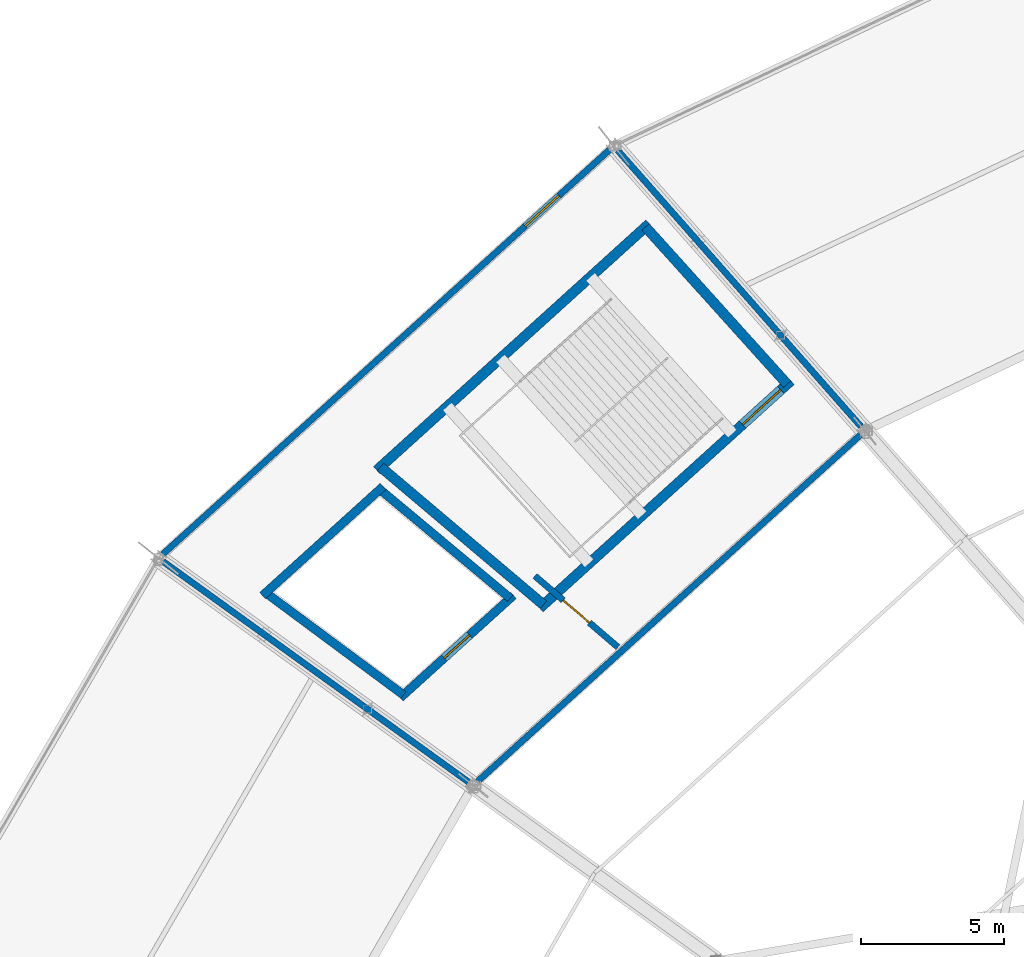
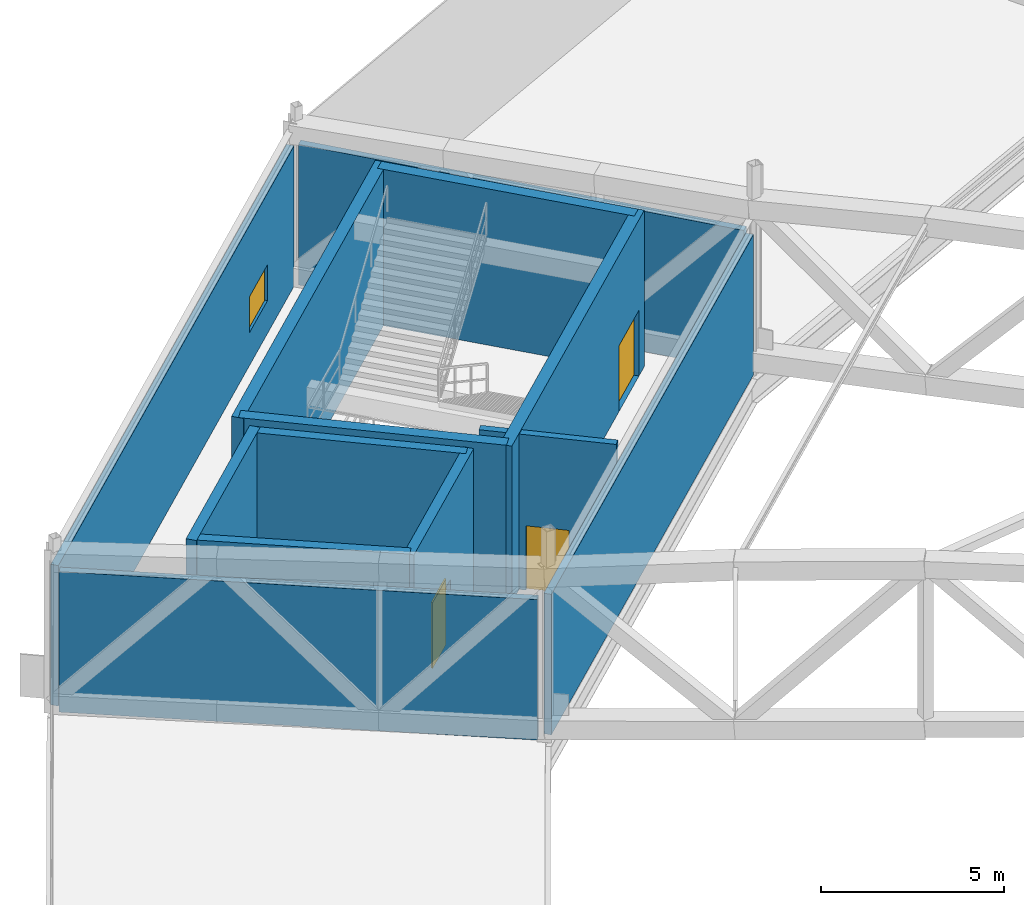
# One storey, part 150 of 162: 13 walls, 3 doors, 1 window, 4 openings.
"""IFC4 building model written with IfcOpenShell, lengths in metres."""

from ifc_helpers import new_model, si_unit, direction, frame, frame_2d, origin, place, context, subcontext, project, spatial, rectangle, extrude, material, layer, layer_set, type_object, element, fill, save


model = new_model("IFC4")

# Units and contexts
model_context = context("Model", 3, precision=1e-05, world=origin(), true_north=direction((0.0, 1.0)))
body_context = subcontext(model_context, "Body", "Model", "MODEL_VIEW")
ifc_project = project(units=[si_unit("LENGTHUNIT", "METRE"), si_unit("AREAUNIT", "SQUARE_METRE"), si_unit("VOLUMEUNIT", "CUBIC_METRE"), si_unit("PLANEANGLEUNIT", "RADIAN"), si_unit("MASSUNIT", "GRAM", prefix="KILO")], contexts=[model_context])

# Site, building, storey
site_placement = place(None, origin())
site = spatial("IfcSite", under=ifc_project, at=site_placement, CompositionType="ELEMENT")
building_placement = place(site_placement, origin())
building = spatial("IfcBuilding", under=site, at=building_placement, Name="Kazemori Nagisa Stadium", CompositionType="ELEMENT")
storey_placement = place(building_placement, frame((0.0, 0.0, 36.719970703125)))
storey = spatial("IfcBuildingStorey", under=building, at=storey_placement, Name="RF", CompositionType="ELEMENT", Elevation=36.719970703125)

# Wall, opening, door
ifc_material_1 = material(Name="Concrete C40/50 (Fc42)", Category="concrete")
ifc_layer_1 = layer(ifc_material_1, 0.35009765625, Name="Concrete C40/50 (Fc42)", Category="concrete")
ifc_layer_set_1 = layer_set([ifc_layer_1], Name="Concrete C40/50 (Fc42)")
wall_type_1 = type_object("IfcWallType", Name="Wall_W-CORE-350", PredefinedType="SHEAR", material=ifc_layer_set_1)
wall_1_placement = place(storey_placement, frame((66.583251953125, 164.860107421875, 0.0), z_axis=(0.0, 0.0, 1.0), x_axis=(-0.741348929385, -0.671119784315, 0.0)))
wall_1 = element("IfcWall", 1, at=wall_1_placement, inside=storey, type_object=wall_type_1, Name="Core stair front shear wall ST02 RF", PredefinedType="SHEAR", context=body_context, shape_type="SweptSolid", body=[
    extrude(rectangle(XDim=11.826416015625, YDim=0.35009765625, at=frame_2d((5.9130859375, 0.0))), origin(), (0.0, 0.0, 1.0), 5.219970703125),
])
opening_1_placement = place(wall_1_placement, frame((0.47509765625, 0.0, 0.0)))
opening_1 = element("IfcOpeningElement", 2, at=opening_1_placement, cuts=wall_1, Name="Opening D-ST-1800", PredefinedType="OPENING", context=body_context, shape_type="SweptSolid", body=[
    extrude(rectangle(XDim=1.800048828125, YDim=2.199951171875, at=frame_2d((0.89990234375, 1.10009765625))), frame((0.0, 0.18505859375, 0.0), z_axis=(0.0, -1.0, 0.0), x_axis=(1.0, 0.0, 0.0)), (0.0, 0.0, 1.0), 0.3701171875),
])
ifc_material_2 = material(Name="Galvanised steel sheet", Category="steel")
door_type_1 = type_object("IfcDoorType", Name="Door_D-ST-1800", OperationType="NOTDEFINED", PredefinedType="DOOR", material=ifc_material_2)
door_1_placement = place(opening_1_placement, frame((1.800048828125, 0.0, 0.0), z_axis=(0.0, 0.0, 1.0), x_axis=(-1.0, 0.0, 0.0)))
door_1 = element("IfcDoor", 3, at=door_1_placement, inside=storey, type_object=door_type_1, Name="Exit stair fire door ST02-RF", OperationType="SINGLE_SWING_RIGHT", OverallHeight=2.199951171875, OverallWidth=1.800048828125, PredefinedType="DOOR", context=body_context, shape_type="SweptSolid", body=[
    extrude(rectangle(XDim=1.800048828125, YDim=2.199951171875, at=frame_2d((0.89990234375, 1.10009765625))), frame((0.0, 0.02490234375, 0.0), z_axis=(0.0, -1.0, 0.0), x_axis=(1.0, 0.0, 0.0)), (0.0, 0.0, 1.0), 0.050048828125),
])
fill(opening_1, door_1)

# Walls
wall_2_placement = place(storey_placement, frame((61.638671875, 170.3466796875, 0.0), z_axis=(0.0, 0.0, 1.0), x_axis=(-0.741351373721, -0.671117084183, 0.0)))
element("IfcWall", 4, at=wall_2_placement, inside=storey, type_object=wall_type_1, Name="Core stair rear shear wall ST02 RF", PredefinedType="SHEAR", context=body_context, shape_type="SweptSolid", body=[
    extrude(rectangle(XDim=12.830322265625, YDim=0.35009765625, at=frame_2d((6.4150390625, 0.0))), origin(), (0.0, 0.0, 1.0), 5.219970703125),
])
wall_3_placement = place(storey_placement, frame((66.45361328125, 164.74267578125, 0.0), z_axis=(0.0, 0.0, 1.0), x_axis=(-0.669463145673, 0.742845270958, 0.0)))
element("IfcWall", 5, at=wall_3_placement, inside=storey, type_object=wall_type_1, Name="Core stair left shear wall ST02 RF", PredefinedType="SHEAR", context=body_context, shape_type="SweptSolid", body=[
    extrude(rectangle(XDim=7.385986328125, YDim=0.35009765625, at=frame_2d((3.69287109375, 0.0))), origin(), (0.0, 0.0, 1.0), 5.219970703125),
])
wall_4_placement = place(storey_placement, frame((57.9453125, 157.04052734375, 0.0), z_axis=(0.0, 0.0, 1.0), x_axis=(-0.763422324031, 0.64589964791, 0.0)))
element("IfcWall", 6, at=wall_4_placement, inside=storey, type_object=wall_type_1, Name="Core stair right shear wall ST02 RF", PredefinedType="SHEAR", context=body_context, shape_type="SweptSolid", body=[
    extrude(rectangle(XDim=7.45166015625, YDim=0.35009765625, at=frame_2d((3.725830078125, 0.0))), origin(), (0.0, 0.0, 1.0), 5.219970703125),
])
ifc_material_3 = material(Name="Steel S355 (SN490B)", Category="steel")
ifc_layer_2 = layer(ifc_material_3, 0.219970703125, Name="Steel S355 (SN490B)", Category="steel")
ifc_layer_set_2 = layer_set([ifc_layer_2], Name="Steel S355 (SN490B)")
wall_type_2 = type_object("IfcWallType", Name="Wall_W-EXT-220", PredefinedType="SOLIDWALL", material=ifc_layer_set_2)
wall_5_placement = place(storey_placement, frame((69.017578125, 162.9765625, 0.0), z_axis=(0.0, 0.0, 1.0), x_axis=(-0.741349812395, -0.671118808902, 0.0)))
element("IfcWall", 7, at=wall_5_placement, inside=storey, type_object=wall_type_2, Name="Corner headhouse exterior wall RF-B11-in", PredefinedType="SOLIDWALL", context=body_context, shape_type="SweptSolid", body=[
    extrude(rectangle(XDim=18.041748046875, YDim=0.219970703125, at=frame_2d((9.02099609375, 0.0))), origin(), (0.0, 0.0, 1.0), 4.68994140625),
])

# Wall, opening, window
wall_6_placement = place(storey_placement, frame((60.253662109375, 172.9248046875, 0.0), z_axis=(0.0, 0.0, 1.0), x_axis=(-0.74134637924, -0.671122601309, 0.0)))
wall_6 = element("IfcWall", 8, at=wall_6_placement, inside=storey, type_object=wall_type_2, Name="Corner headhouse exterior wall RF-B11-out", PredefinedType="SOLIDWALL", context=body_context, shape_type="SweptSolid", body=[
    extrude(rectangle(XDim=21.0439453125, YDim=0.219970703125, at=frame_2d((10.52197265625, 0.0))), origin(), (0.0, 0.0, 1.0), 4.68994140625),
])
opening_2_placement = place(wall_6_placement, frame((2.3798828125, 0.0, 1.10009765625)))
opening_2 = element("IfcOpeningElement", 9, at=opening_2_placement, cuts=wall_6, Name="Opening WIN-RF-1600", PredefinedType="OPENING", context=body_context, shape_type="SweptSolid", body=[
    extrude(rectangle(XDim=1.60009765625, YDim=1.199951171875, at=frame_2d((0.800048828125, 0.60009765625))), frame((0.0, 0.119873046875, 0.0), z_axis=(0.0, -1.0, 0.0), x_axis=(1.0, 0.0, 0.0)), (0.0, 0.0, 1.0), 0.239990234375),
])
ifc_material_4 = material(Name="Low-e laminated double glazing", Category="glass")
window_type = type_object("IfcWindowType", Name="Window_WIN-RF-1600", PartitioningType="SINGLE_PANEL", PredefinedType="WINDOW", material=ifc_material_4)
window_placement = place(opening_2_placement, origin())
window = element("IfcWindow", 10, at=window_placement, inside=storey, type_object=window_type, Name="Headhouse plant clerestory window RF-B11", OverallHeight=1.199951171875, OverallWidth=1.60009765625, PartitioningType="SINGLE_PANEL", PredefinedType="WINDOW", context=body_context, shape_type="SweptSolid", body=[
    extrude(rectangle(XDim=1.60009765625, YDim=1.199951171875, at=frame_2d((0.800048828125, 0.60009765625))), frame((0.0, 0.030029296875, 0.0), z_axis=(0.0, -1.0, 0.0), x_axis=(1.0, 0.0, 0.0)), (0.0, 0.0, 1.0), 0.06005859375),
])
fill(opening_2, window)

# Walls
wall_7_placement = place(storey_placement, frame((69.033447265625, 163.2607421875, 0.0), z_axis=(0.0, 0.0, 1.0), x_axis=(-0.661016034052, 0.750371776339, 0.0)))
element("IfcWall", 11, at=wall_7_placement, inside=storey, type_object=wall_type_2, Name="Corner headhouse exterior wall RF-B11-L", PredefinedType="SOLIDWALL", context=body_context, shape_type="SweptSolid", body=[
    extrude(rectangle(XDim=12.85791015625, YDim=0.219970703125, at=frame_2d((6.428955078125, 0.0))), origin(), (0.0, 0.0, 1.0), 4.68994140625),
])
wall_8_placement = place(storey_placement, frame((55.331787109375, 150.851318359375, 0.0), z_axis=(0.0, 0.0, 1.0), x_axis=(-0.810798631482, 0.585325190972, 0.0)))
element("IfcWall", 12, at=wall_8_placement, inside=storey, type_object=wall_type_2, Name="Corner headhouse exterior wall RF-B11-R", PredefinedType="SOLIDWALL", context=body_context, shape_type="SweptSolid", body=[
    extrude(rectangle(XDim=13.15380859375, YDim=0.219970703125, at=frame_2d((6.576904296875, 0.0))), origin(), (0.0, 0.0, 1.0), 4.68994140625),
])

# Wall, opening, door
ifc_material_5 = material(Name="Concrete C36/45 (Fc36)", Category="concrete")
ifc_layer_3 = layer(ifc_material_5, 0.219970703125, Name="Concrete C36/45 (Fc36)", Category="concrete")
ifc_layer_set_3 = layer_set([ifc_layer_3], Name="Concrete C36/45 (Fc36)")
wall_type_3 = type_object("IfcWallType", Name="Wall_W-LOBBY-220", PredefinedType="SOLIDWALL", material=ifc_layer_set_3)
wall_9_placement = place(storey_placement, frame((60.54443359375, 155.5615234375, 0.0), z_axis=(0.0, 0.0, 1.0), x_axis=(-0.759103110824, 0.650970404194, 0.0)))
wall_9 = element("IfcWall", 13, at=wall_9_placement, inside=storey, type_object=wall_type_3, Name="Headhouse plant fire wall RF-B11", PredefinedType="SOLIDWALL", context=body_context, shape_type="SweptSolid", body=[
    extrude(rectangle(XDim=3.81787109375, YDim=0.219970703125, at=frame_2d((1.908935546875, 0.0))), origin(), (0.0, 0.0, 1.0), 5.18994140625),
])
opening_3_placement = place(wall_9_placement, frame((1.30908203125, 0.0, 0.0)))
opening_3 = element("IfcOpeningElement", 14, at=opening_3_placement, cuts=wall_9, Name="Opening D-PL-1200", PredefinedType="OPENING", context=body_context, shape_type="SweptSolid", body=[
    extrude(rectangle(XDim=1.199951171875, YDim=2.14990234375, at=frame_2d((0.60009765625, 1.074951171875))), frame((0.0, 0.119873046875, 0.0), z_axis=(0.0, -1.0, 0.0), x_axis=(1.0, 0.0, 0.0)), (0.0, 0.0, 1.0), 0.239990234375),
])
door_type_2 = type_object("IfcDoorType", Name="Door_D-PL-1200", OperationType="NOTDEFINED", PredefinedType="DOOR", material=ifc_material_2)
door_2_placement = place(opening_3_placement, origin())
door_2 = element("IfcDoor", 15, at=door_2_placement, inside=storey, type_object=door_type_2, Name="Headhouse plant fire door RF-B11", OperationType="SINGLE_SWING_LEFT", OverallHeight=2.14990234375, OverallWidth=1.199951171875, PredefinedType="DOOR", context=body_context, shape_type="SweptSolid", body=[
    extrude(rectangle(XDim=1.199951171875, YDim=2.14990234375, at=frame_2d((0.60009765625, 1.074951171875))), frame((0.0, 0.02490234375, 0.0), z_axis=(0.0, -1.0, 0.0), x_axis=(1.0, 0.0, 0.0)), (0.0, 0.0, 1.0), 0.050048828125),
])
fill(opening_3, door_2)

ifc_layer_4 = layer(ifc_material_1, 0.300048828125, Name="Concrete C40/50 (Fc42)", Category="concrete")
ifc_layer_set_4 = layer_set([ifc_layer_4], Name="Concrete C40/50 (Fc42)")
wall_type_4 = type_object("IfcWallType", Name="Wall_W-SHAFT-300", PredefinedType="SHEAR", material=ifc_layer_set_4)
wall_10_placement = place(storey_placement, frame((56.89697265625, 157.368896484375, 0.0), z_axis=(0.0, 0.0, 1.0), x_axis=(-0.741350155641, -0.671118429736, 0.0)))
wall_10 = element("IfcWall", 16, at=wall_10_placement, inside=storey, type_object=wall_type_4, Name="Lift shaft front wall FL2 RF", PredefinedType="SHEAR", context=body_context, shape_type="SweptSolid", body=[
    extrude(rectangle(XDim=5.3291015625, YDim=0.300048828125, at=frame_2d((2.66455078125, 0.0))), origin(), (0.0, 0.0, 1.0), 5.18994140625),
])
opening_4_placement = place(wall_10_placement, frame((2.06494140625, 0.0, 0.0)))
opening_4 = element("IfcOpeningElement", 17, at=opening_4_placement, cuts=wall_10, Name="Opening LD-FF", PredefinedType="OPENING", context=body_context, shape_type="SweptSolid", body=[
    extrude(rectangle(XDim=1.199951171875, YDim=2.199951171875, at=frame_2d((0.60009765625, 1.10009765625))), frame((0.0, 0.159912109375, 0.0), z_axis=(0.0, -1.0, 0.0), x_axis=(1.0, 0.0, 0.0)), (0.0, 0.0, 1.0), 0.320068359375),
])
ifc_material_6 = material(Name="Stainless steel SUS304", Category="steel")
door_type_3 = type_object("IfcDoorType", Name="Door_LD-FF", OperationType="SLIDING_TO_LEFT", PredefinedType="DOOR", material=ifc_material_6)
door_3_placement = place(opening_4_placement, origin())
door_3 = element("IfcDoor", 18, at=door_3_placement, inside=storey, type_object=door_type_3, Name="Lift landing door FL2-RF", OperationType="SLIDING_TO_LEFT", OverallHeight=2.199951171875, OverallWidth=1.199951171875, PredefinedType="DOOR", context=body_context, shape_type="SweptSolid", body=[
    extrude(rectangle(XDim=1.199951171875, YDim=2.199951171875, at=frame_2d((0.60009765625, 1.10009765625))), frame((0.0, 0.02490234375, 0.0), z_axis=(0.0, -1.0, 0.0), x_axis=(1.0, 0.0, 0.0)), (0.0, 0.0, 1.0), 0.050048828125),
])
fill(opening_4, door_3)

# Walls
wall_11_placement = place(storey_placement, frame((52.345703125, 161.167724609375, 0.0), z_axis=(0.0, 0.0, 1.0), x_axis=(-0.74134208775, -0.671127341815, 0.0)))
element("IfcWall", 19, at=wall_11_placement, inside=storey, type_object=wall_type_4, Name="Lift shaft B wall FL2 RF", PredefinedType="SHEAR", context=body_context, shape_type="SweptSolid", body=[
    extrude(rectangle(XDim=5.674560546875, YDim=0.300048828125, at=frame_2d((2.83740234375, 0.0))), origin(), (0.0, 0.0, 1.0), 5.18994140625),
])
wall_12_placement = place(storey_placement, frame((56.785888671875, 157.26806640625, 0.0), z_axis=(0.0, 0.0, 1.0), x_axis=(-0.767711354146, 0.640795815151, 0.0)))
element("IfcWall", 20, at=wall_12_placement, inside=storey, type_object=wall_type_4, Name="Lift shaft L wall FL2 RF", PredefinedType="SHEAR", context=body_context, shape_type="SweptSolid", body=[
    extrude(rectangle(XDim=5.9287109375, YDim=0.300048828125, at=frame_2d((2.96435546875, 0.0))), origin(), (0.0, 0.0, 1.0), 5.18994140625),
])
wall_13_placement = place(storey_placement, frame((53.0576171875, 153.89306640625, 0.0), z_axis=(0.0, 0.0, 1.0), x_axis=(-0.803101805449, 0.59584183311, 0.0)))
element("IfcWall", 21, at=wall_13_placement, inside=storey, type_object=wall_type_4, Name="Lift shaft R wall FL2 RF", PredefinedType="SHEAR", context=body_context, shape_type="SweptSolid", body=[
    extrude(rectangle(XDim=5.986328125, YDim=0.300048828125, at=frame_2d((2.9931640625, 0.0))), origin(), (0.0, 0.0, 1.0), 5.18994140625),
])

save(model, "model.ifc")
